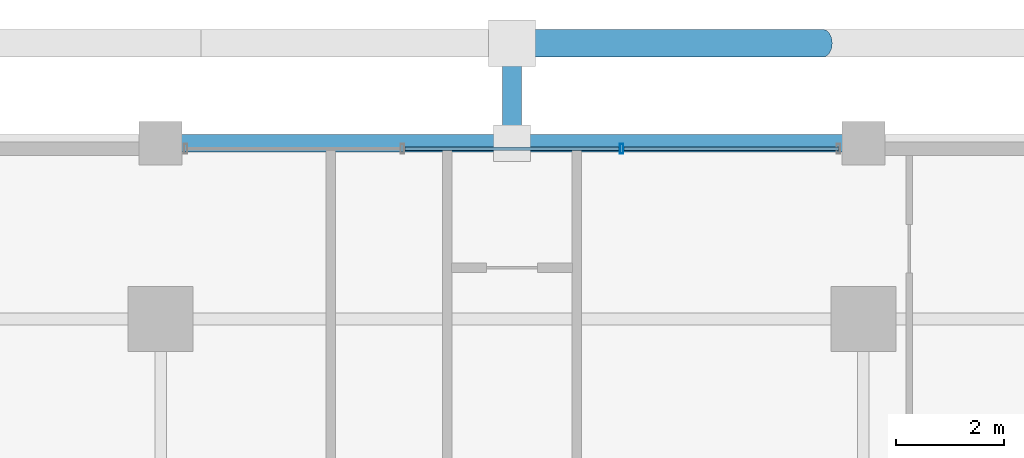
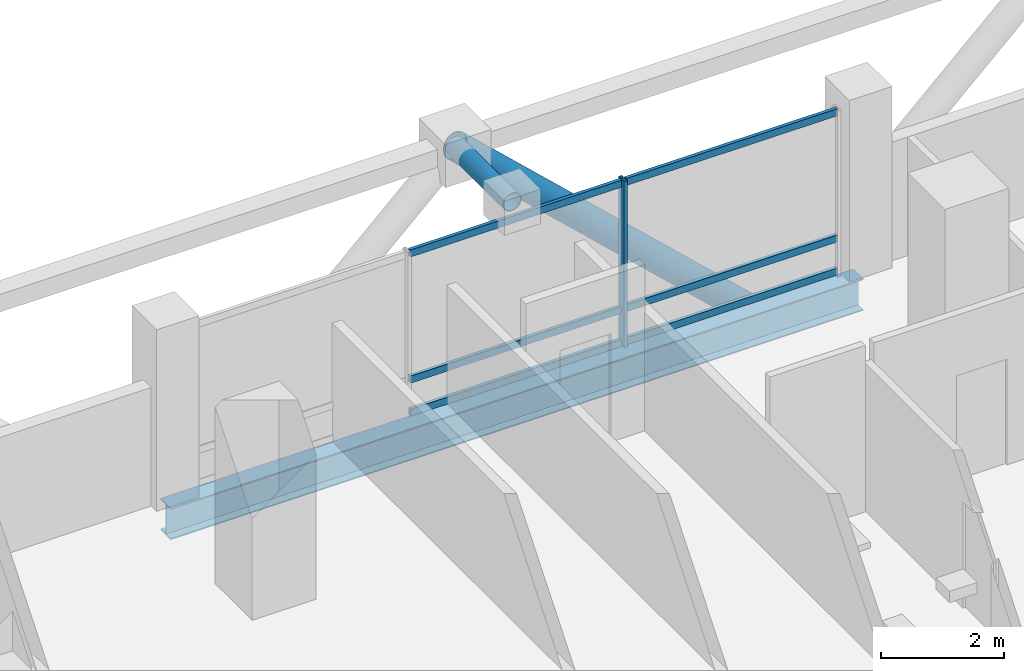
# One storey, part 15 of 25: 9 members, 1 beam, 1 element without a shape of its own.
"""IFC4 building model written with IfcOpenShell, lengths in metres."""

from ifc_helpers import new_model, si_unit, direction, frame, origin, origin_2d, place, context, subcontext, project, spatial, hollow_rectangle, hollow_circle, i_section, extrude, material, layer, layer_set, material_profile, profile_set, type_object, element, aggregate, save


model = new_model("IFC4")

# Units and contexts
model_context = context("Model", 3, precision=1e-05, world=origin(), true_north=direction((0.0, 1.0)))
body_context = subcontext(model_context, "Body", "Model", "MODEL_VIEW")
ifc_project = project(units=[si_unit("LENGTHUNIT", "METRE"), si_unit("AREAUNIT", "SQUARE_METRE"), si_unit("VOLUMEUNIT", "CUBIC_METRE"), si_unit("PLANEANGLEUNIT", "RADIAN"), si_unit("MASSUNIT", "GRAM", prefix="KILO")], contexts=[model_context])

# Site, building, storey
site_placement = place(None, origin())
site = spatial("IfcSite", under=ifc_project, at=site_placement, CompositionType="ELEMENT")
building_placement = place(site_placement, origin())
building = spatial("IfcBuilding", under=site, at=building_placement, Name="Barlavira Tower and Art Museum", CompositionType="ELEMENT")
storey_placement = place(building_placement, frame((0.0, 0.0, 162.0)))
storey = spatial("IfcBuildingStorey", under=building, at=storey_placement, Name="L41", CompositionType="ELEMENT", Elevation=162.0)

# Curtain wall, members
ifc_material_1 = material(Name="Low-iron coastal laminated glass", Category="glass")
ifc_layer = layer(ifc_material_1, 0.18994140625, Name="Low-iron coastal laminated glass")
ifc_layer_set = layer_set([ifc_layer], Name="Low-iron coastal laminated glass")
curtain_wall_type = type_object("IfcCurtainWallType", Name="Pale-Metal Unitised Curtain Wall Zone 2", PredefinedType="NOTDEFINED", material=ifc_layer_set)
curtain_wall_placement = place(storey_placement, origin())
curtain_wall = element("IfcCurtainWall", 1, at=curtain_wall_placement, inside=storey, type_object=curtain_wall_type, Name="L41 Curtain Wall CW2-L41-N-B3", PredefinedType="NOTDEFINED")
ifc_material_2 = material(Name="Pale anodised aluminium", Category="aluminium")
ifc_material_profile_1 = material_profile(ifc_material_2, hollow_rectangle(XDim=0.06494140625, YDim=0.179931640625, WallThickness=0.00390625, at=origin_2d()), Name="ALU-MULL 65x180x4")
ifc_profile_set_1 = profile_set([ifc_material_profile_1], Name="Pale anodised aluminium")
member_type_1 = type_object("IfcMemberType", Name="Curtain Wall Pale-Metal Mullion 65x180", PredefinedType="MULLION", material=ifc_profile_set_1)
member_1_placement = place(storey_placement, frame((2.026611328125, 23.14990234375, 0.0), z_axis=(0.0, 0.0, 1.0), x_axis=(-1.0, 0.0, 0.0)))
member_1 = element("IfcMember", 2, at=member_1_placement, type_object=member_type_1, Name="CW2-L41-N-B3 Mullion 1", PredefinedType="MULLION", context=body_context, shape_type="SweptSolid", body=[
    extrude(hollow_rectangle(XDim=0.06494140625, YDim=0.179931640625, WallThickness=0.00390625, at=origin_2d()), origin(), (0.0, 0.0, 1.0), 3.300048828125),
])
ifc_material_profile_2 = material_profile(ifc_material_2, hollow_rectangle(XDim=0.06494140625, YDim=0.139892578125, WallThickness=0.00390625, at=origin_2d()), Name="ALU-TRAN 65x140x4")
ifc_profile_set_2 = profile_set([ifc_material_profile_2], Name="Pale anodised aluminium")
member_type_2 = type_object("IfcMemberType", Name="Curtain Wall Pale-Metal Transom 65x140", PredefinedType="USERDEFINED", material=ifc_profile_set_2)
member_2_placement = place(storey_placement, frame((6.034912109375, 23.14990234375, 0.070068359375), z_axis=(-1.0, 0.0, 0.0), x_axis=(0.0, -1.0, 0.0)))
member_2 = element("IfcMember", 3, at=member_2_placement, type_object=member_type_2, Name="CW2-L41-N-B3 Transom 0.1", ObjectType="TRANSOM", PredefinedType="USERDEFINED", context=body_context, shape_type="SweptSolid", body=[
    extrude(hollow_rectangle(XDim=0.06494140625, YDim=0.139892578125, WallThickness=0.00390625, at=origin_2d()), origin(), (0.0, 0.0, 1.0), 3.963134765625),
])
member_3_placement = place(storey_placement, frame((6.034912109375, 23.14990234375, 0.72607421875), z_axis=(-1.0, 0.0, 0.0), x_axis=(0.0, -1.0, 0.0)))
member_3 = element("IfcMember", 4, at=member_3_placement, type_object=member_type_2, Name="CW2-L41-N-B3 Transom 0.2", ObjectType="TRANSOM", PredefinedType="USERDEFINED", context=body_context, shape_type="SweptSolid", body=[
    extrude(hollow_rectangle(XDim=0.06494140625, YDim=0.139892578125, WallThickness=0.00390625, at=origin_2d()), origin(), (0.0, 0.0, 1.0), 3.963134765625),
])
member_4_placement = place(storey_placement, frame((6.034912109375, 23.14990234375, 3.22998046875), z_axis=(-1.0, 0.0, 0.0), x_axis=(0.0, -1.0, 0.0)))
member_4 = element("IfcMember", 5, at=member_4_placement, type_object=member_type_2, Name="CW2-L41-N-B3 Transom 0.3", ObjectType="TRANSOM", PredefinedType="USERDEFINED", context=body_context, shape_type="SweptSolid", body=[
    extrude(hollow_rectangle(XDim=0.06494140625, YDim=0.139892578125, WallThickness=0.00390625, at=origin_2d()), origin(), (0.0, 0.0, 1.0), 3.963134765625),
])
member_5_placement = place(storey_placement, frame((1.981689453125, 23.14990234375, 0.070068359375), z_axis=(-1.0, 0.0, 0.0), x_axis=(0.0, -1.0, 0.0)))
member_5 = element("IfcMember", 6, at=member_5_placement, type_object=member_type_2, Name="CW2-L41-N-B3 Transom 1.1", ObjectType="TRANSOM", PredefinedType="USERDEFINED", context=body_context, shape_type="SweptSolid", body=[
    extrude(hollow_rectangle(XDim=0.06494140625, YDim=0.139892578125, WallThickness=0.00390625, at=origin_2d()), origin(), (0.0, 0.0, 1.0), 3.96337890625),
])
member_6_placement = place(storey_placement, frame((1.981689453125, 23.14990234375, 0.72607421875), z_axis=(-1.0, 0.0, 0.0), x_axis=(0.0, -1.0, 0.0)))
member_6 = element("IfcMember", 7, at=member_6_placement, type_object=member_type_2, Name="CW2-L41-N-B3 Transom 1.2", ObjectType="TRANSOM", PredefinedType="USERDEFINED", context=body_context, shape_type="SweptSolid", body=[
    extrude(hollow_rectangle(XDim=0.06494140625, YDim=0.139892578125, WallThickness=0.00390625, at=origin_2d()), origin(), (0.0, 0.0, 1.0), 3.96337890625),
])
member_7_placement = place(storey_placement, frame((1.981689453125, 23.14990234375, 3.22998046875), z_axis=(-1.0, 0.0, 0.0), x_axis=(0.0, -1.0, 0.0)))
member_7 = element("IfcMember", 8, at=member_7_placement, type_object=member_type_2, Name="CW2-L41-N-B3 Transom 1.3", ObjectType="TRANSOM", PredefinedType="USERDEFINED", context=body_context, shape_type="SweptSolid", body=[
    extrude(hollow_rectangle(XDim=0.06494140625, YDim=0.139892578125, WallThickness=0.00390625, at=origin_2d()), origin(), (0.0, 0.0, 1.0), 3.96337890625),
])
aggregate(curtain_wall, [member_1, member_2, member_3, member_4, member_5, member_6, member_7])

# Members
ifc_material_3 = material(Name="Steel S355", Category="steel")
ifc_material_profile_3 = material_profile(ifc_material_3, hollow_circle(Radius=0.25390625, WallThickness=0.022216796875, at=origin_2d()), Name="CHS 508.0x22.2")
ifc_profile_set_3 = profile_set([ifc_material_profile_3], Name="Steel S355")
member_type_3 = type_object("IfcMemberType", Name="Pale-Metal Exoskeleton Diagrid Tube CHS 508x22 Steel S355", PredefinedType="BRACE", material=ifc_profile_set_3)
member_8_placement = place(storey_placement, frame((5.75, 25.10009765625, -1.919921875), z_axis=(-0.728950095515, 0.0, 0.684566839869), x_axis=(0.0, -1.0, 0.0)))
element("IfcMember", 9, at=member_8_placement, inside=storey, type_object=member_type_3, Name="L41 Exoskeleton Diagrid Tube N", PredefinedType="BRACE", context=body_context, shape_type="SweptSolid", body=[
    extrude(hollow_circle(Radius=0.25390625, WallThickness=0.022216796875, at=origin_2d()), origin(), (0.0, 0.0, 1.0), 7.887939453125),
])
ifc_material_profile_4 = material_profile(ifc_material_3, hollow_circle(Radius=0.177734375, WallThickness=0.01611328125, at=origin_2d()), Name="CHS 355.6x16.0")
ifc_profile_set_4 = profile_set([ifc_material_profile_4], Name="Steel S355")
member_type_4 = type_object("IfcMemberType", Name="Pale-Metal Exoskeleton Tie Strut CHS 356x16 Steel S355", PredefinedType="STRUT", material=ifc_profile_set_4)
member_9_placement = place(storey_placement, frame((0.0, 25.10009765625, 3.47998046875), z_axis=(0.0, -1.0, 0.0), x_axis=(1.0, 0.0, 0.0)))
element("IfcMember", 10, at=member_9_placement, inside=storey, type_object=member_type_4, Name="L41 Exoskeleton Top Tie Strut N2", PredefinedType="STRUT", context=body_context, shape_type="SweptSolid", body=[
    extrude(hollow_circle(Radius=0.177734375, WallThickness=0.01611328125, at=origin_2d()), origin(), (0.0, 0.0, 1.0), 1.85009765625),
])

# Beam
ifc_material_profile_5 = material_profile(ifc_material_3, i_section(OverallWidth=0.327880859375, OverallDepth=0.62890625, WebThickness=0.013916015625, FlangeThickness=0.021484375, at=origin_2d()), Name="W610x174.0")
ifc_profile_set_5 = profile_set([ifc_material_profile_5], Name="Steel S355")
beam_type = type_object("IfcBeamType", Name="Perimeter Spandrel Edge Beam W610x174 Steel S355", PredefinedType="SPANDREL", material=ifc_profile_set_5)
beam_placement = place(storey_placement, frame((-6.5, 23.25, -0.534423828125), z_axis=(1.0, 0.0, 0.0), x_axis=(0.0, 1.0, 0.0)))
element("IfcBeam", 11, at=beam_placement, inside=storey, type_object=beam_type, Name="L41 Spandrel 10", PredefinedType="SPANDREL", context=body_context, shape_type="SweptSolid", body=[
    extrude(i_section(OverallWidth=0.327880859375, OverallDepth=0.62890625, WebThickness=0.013916015625, FlangeThickness=0.021484375, at=origin_2d()), origin(), (0.0, 0.0, 1.0), 13.0),
])

save(model, "model.ifc")
